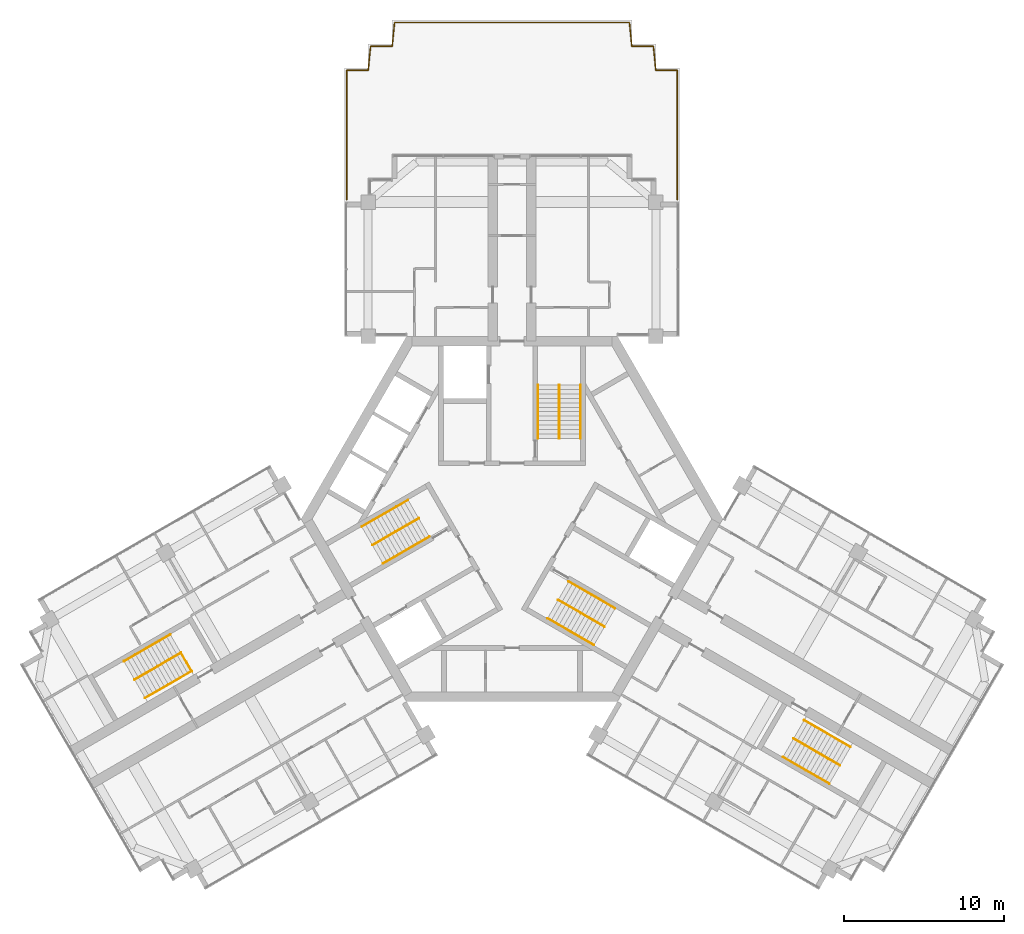
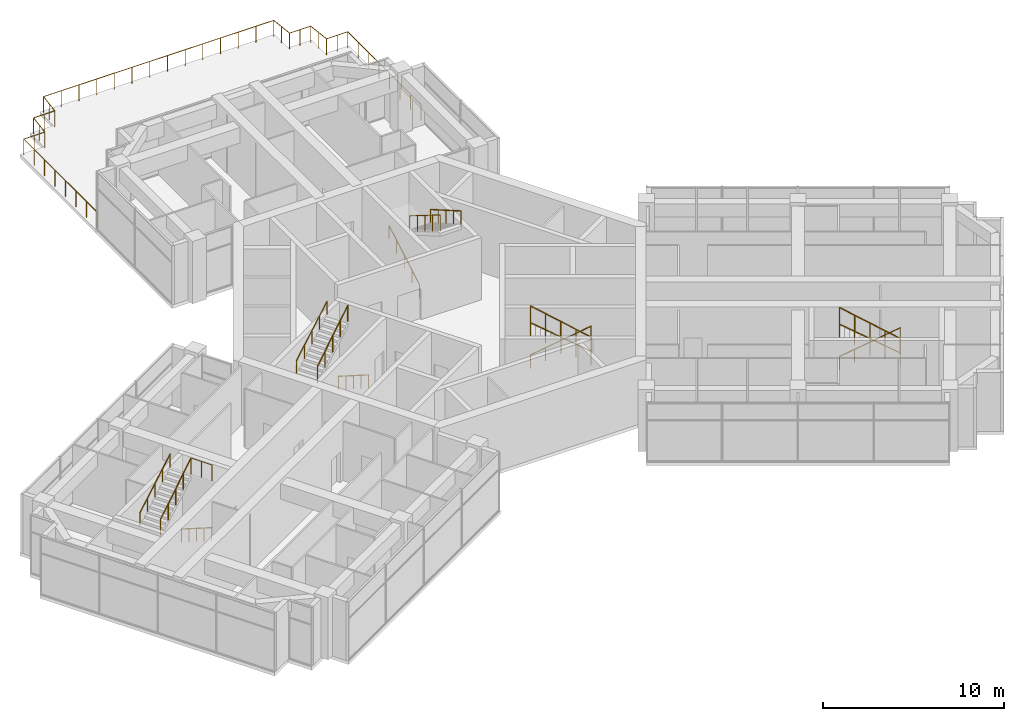
# One storey, part 15 of 15: 17 railings.
"""IFC4 building model written with IfcOpenShell, lengths in metres."""

from ifc_helpers import new_model, si_unit, direction, frame, origin, origin_2d, place, context, subcontext, project, spatial, circle, extrude, material, type_object, element, save


model = new_model("IFC4")

# Units and contexts
model_context = context("Model", 3, precision=1e-05, world=origin(), true_north=direction((0.0, 1.0)))
body_context = subcontext(model_context, "Body", "Model", "MODEL_VIEW")
ifc_project = project(units=[si_unit("LENGTHUNIT", "METRE"), si_unit("AREAUNIT", "SQUARE_METRE"), si_unit("VOLUMEUNIT", "CUBIC_METRE"), si_unit("PLANEANGLEUNIT", "RADIAN"), si_unit("MASSUNIT", "GRAM", prefix="KILO")], contexts=[model_context])

# Site, building, storey
site_placement = place(None, origin())
site = spatial("IfcSite", under=ifc_project, at=site_placement, CompositionType="ELEMENT")
building_placement = place(site_placement, origin())
building = spatial("IfcBuilding", under=site, at=building_placement, Name="Impinga Residences", CompositionType="ELEMENT")
storey_placement = place(building_placement, frame((0.0, 0.0, 274.75)))
storey = spatial("IfcBuildingStorey", under=building, at=storey_placement, Name="L69", CompositionType="ELEMENT", Elevation=274.75)

# Railings
ifc_material_1 = material(Name="Steel guard, powder coated", Category="steel")
railing_type_1 = type_object("IfcRailingType", Name="GR1 stair guard 1100", PredefinedType="GUARDRAIL", material=ifc_material_1)
railing_1_placement = place(storey_placement, frame((2.949951171875, 8.389892578125, 2.10009765625)))
element("IfcRailing", 1, at=railing_1_placement, inside=storey, type_object=railing_type_1, Name="Stair guard GR1 ST1 L69", PredefinedType="GUARDRAIL", context=body_context, shape_type="SweptSolid", body=[
    extrude(circle(Radius=0.02392578125, at=origin_2d()), frame((0.0, 0.0, 1.076171875), z_axis=(0.0, -0.848005227453, 0.529987862325), x_axis=(1.0, 0.0, 0.0)), (0.0, 0.0, 1.0), 3.962158203125),
    extrude(circle(Radius=0.02099609375, at=origin_2d()), origin(), (0.0, 0.0, 1.0), 1.052001953125),
    extrude(circle(Radius=0.02099609375, at=origin_2d()), frame((0.0, -0.83984375, 0.52490234375)), (0.0, 0.0, 1.0), 1.052001953125),
    extrude(circle(Radius=0.02099609375, at=origin_2d()), frame((0.0, -1.679931640625, 1.0498046875)), (0.0, 0.0, 1.0), 1.052001953125),
    extrude(circle(Radius=0.02099609375, at=origin_2d()), frame((0.0, -2.52001953125, 1.574951171875)), (0.0, 0.0, 1.0), 1.052001953125),
    extrude(circle(Radius=0.02099609375, at=origin_2d()), frame((0.0, -3.35986328125, 2.099853515625)), (0.0, 0.0, 1.0), 1.052001953125),
])
railing_2_placement = place(storey_placement, frame((-8.740966796875, -1.64013671875, 2.10009765625)))
element("IfcRailing", 2, at=railing_2_placement, inside=storey, type_object=railing_type_1, Name="Stair guard GR1 ST2 L69", PredefinedType="GUARDRAIL", context=body_context, shape_type="SweptSolid", body=[
    extrude(circle(Radius=0.02392578125, at=origin_2d()), frame((0.0, 0.0, 1.076171875), z_axis=(0.734415596072, 0.423988062469, 0.529969673783), x_axis=(-0.499976138585, 0.866039179741, 0.0)), (0.0, 0.0, 1.0), 3.962158203125),
    extrude(circle(Radius=0.02099609375, at=origin_2d()), origin(), (0.0, 0.0, 1.0), 1.052001953125),
    extrude(circle(Radius=0.02099609375, at=origin_2d()), frame((0.7275390625, 0.419921875, 0.52490234375)), (0.0, 0.0, 1.0), 1.052001953125),
    extrude(circle(Radius=0.02099609375, at=origin_2d()), frame((1.455078125, 0.83984375, 1.0498046875)), (0.0, 0.0, 1.0), 1.052001953125),
    extrude(circle(Radius=0.02099609375, at=origin_2d()), frame((2.182373046875, 1.260009765625, 1.574951171875)), (0.0, 0.0, 1.0), 1.052001953125),
    extrude(circle(Radius=0.02099609375, at=origin_2d()), frame((2.909912109375, 1.679931640625, 2.099853515625)), (0.0, 0.0, 1.0), 1.052001953125),
])
railing_3_placement = place(storey_placement, frame((5.791015625, -6.749755859375, 2.10009765625)))
element("IfcRailing", 3, at=railing_3_placement, inside=storey, type_object=railing_type_1, Name="Stair guard GR1 ST3 L69", PredefinedType="GUARDRAIL", context=body_context, shape_type="SweptSolid", body=[
    extrude(circle(Radius=0.02392578125, at=origin_2d()), frame((0.0, 0.0, 1.076171875), z_axis=(-0.734415596072, 0.423988062469, 0.529969673783), x_axis=(-0.499976138585, -0.866039179741, 0.0)), (0.0, 0.0, 1.0), 3.962158203125),
    extrude(circle(Radius=0.02099609375, at=origin_2d()), origin(), (0.0, 0.0, 1.0), 1.052001953125),
    extrude(circle(Radius=0.02099609375, at=origin_2d()), frame((-0.7275390625, 0.419921875, 0.52490234375)), (0.0, 0.0, 1.0), 1.052001953125),
    extrude(circle(Radius=0.02099609375, at=origin_2d()), frame((-1.455078125, 0.83984375, 1.0498046875)), (0.0, 0.0, 1.0), 1.052001953125),
    extrude(circle(Radius=0.02099609375, at=origin_2d()), frame((-2.182373046875, 1.260009765625, 1.574951171875)), (0.0, 0.0, 1.0), 1.052001953125),
    extrude(circle(Radius=0.02099609375, at=origin_2d()), frame((-2.909912109375, 1.679931640625, 2.099853515625)), (0.0, 0.0, 1.0), 1.052001953125),
])
railing_4_placement = place(storey_placement, frame((-23.626220703125, -10.06103515625, 2.10009765625)))
element("IfcRailing", 4, at=railing_4_placement, inside=storey, type_object=railing_type_1, Name="Stair guard GR1 WS2 L69", PredefinedType="GUARDRAIL", context=body_context, shape_type="SweptSolid", body=[
    extrude(circle(Radius=0.02392578125, at=origin_2d()), frame((0.0, 0.0, 1.076171875), z_axis=(0.734387211177, 0.424007249548, 0.529993656934), x_axis=(-0.500007602105, 0.866021014662, 0.0)), (0.0, 0.0, 1.0), 3.9619140625),
    extrude(circle(Radius=0.02099609375, at=origin_2d()), origin(), (0.0, 0.0, 1.0), 1.052001953125),
    extrude(circle(Radius=0.02099609375, at=origin_2d()), frame((0.7275390625, 0.419921875, 0.52490234375)), (0.0, 0.0, 1.0), 1.052001953125),
    extrude(circle(Radius=0.02099609375, at=origin_2d()), frame((1.454833984375, 0.83984375, 1.0498046875)), (0.0, 0.0, 1.0), 1.052001953125),
    extrude(circle(Radius=0.02099609375, at=origin_2d()), frame((2.18212890625, 1.260009765625, 1.574951171875)), (0.0, 0.0, 1.0), 1.052001953125),
    extrude(circle(Radius=0.02099609375, at=origin_2d()), frame((2.90966796875, 1.679931640625, 2.099853515625)), (0.0, 0.0, 1.0), 1.052001953125),
])
railing_5_placement = place(storey_placement, frame((-20.04150390625, -9.55029296875, 4.199951171875)))
element("IfcRailing", 5, at=railing_5_placement, inside=storey, type_object=railing_type_1, Name="Stair guard GR1 WS2 top landing L69", PredefinedType="GUARDRAIL", context=body_context, shape_type="SweptSolid", body=[
    extrude(circle(Radius=0.02392578125, at=origin_2d()), frame((0.0, 0.0, 1.076171875), z_axis=(-0.50000943426, 0.866019956843, 0.0), x_axis=(-0.866019956843, -0.50000943426, 0.0)), (0.0, 0.0, 1.0), 1.35009765625),
    extrude(circle(Radius=0.02099609375, at=origin_2d()), origin(), (0.0, 0.0, 1.0), 1.052001953125),
    extrude(circle(Radius=0.02099609375, at=origin_2d()), frame((-0.33740234375, 0.58447265625, 0.0)), (0.0, 0.0, 1.0), 1.052001953125),
    extrude(circle(Radius=0.02099609375, at=origin_2d()), frame((-0.675048828125, 1.169189453125, 0.0)), (0.0, 0.0, 1.0), 1.052001953125),
])
railing_6_placement = place(storey_placement, frame((20.5263671875, -15.430419921875, 2.10009765625)))
element("IfcRailing", 6, at=railing_6_placement, inside=storey, type_object=railing_type_1, Name="Stair guard GR1 WS3 L69", PredefinedType="GUARDRAIL", context=body_context, shape_type="SweptSolid", body=[
    extrude(circle(Radius=0.02392578125, at=origin_2d()), frame((0.0, 0.0, 1.076171875), z_axis=(-0.734415596072, 0.423988062469, 0.529969673783), x_axis=(-0.499976138585, -0.866039179741, 0.0)), (0.0, 0.0, 1.0), 3.962158203125),
    extrude(circle(Radius=0.02099609375, at=origin_2d()), origin(), (0.0, 0.0, 1.0), 1.052001953125),
    extrude(circle(Radius=0.02099609375, at=origin_2d()), frame((-0.7275390625, 0.419921875, 0.52490234375)), (0.0, 0.0, 1.0), 1.052001953125),
    extrude(circle(Radius=0.02099609375, at=origin_2d()), frame((-1.455078125, 0.83984375, 1.0498046875)), (0.0, 0.0, 1.0), 1.052001953125),
    extrude(circle(Radius=0.02099609375, at=origin_2d()), frame((-2.182373046875, 1.260009765625, 1.574951171875)), (0.0, 0.0, 1.0), 1.052001953125),
    extrude(circle(Radius=0.02099609375, at=origin_2d()), frame((-2.909912109375, 1.679931640625, 2.099853515625)), (0.0, 0.0, 1.0), 1.052001953125),
])
ifc_material_2 = material(Name="Laminated glass guard, stainless steel top rail", Category="steel")
railing_type_2 = type_object("IfcRailingType", Name="GT1 terrace guard 1100, glass infill", PredefinedType="GUARDRAIL", material=ifc_material_2)
railing_7_placement = place(storey_placement, frame((-10.35009765625, 19.982421875, 0.0)))
element("IfcRailing", 7, at=railing_7_placement, inside=storey, type_object=railing_type_2, Name="Terrace guard GT1 L69", PredefinedType="GUARDRAIL", context=body_context, shape_type="SweptSolid", body=[
    extrude(circle(Radius=0.02392578125, at=origin_2d()), frame((0.0, 0.0, 1.076171875), z_axis=(0.0, 1.0, 0.0), x_axis=(-1.0, 0.0, 0.0)), (0.0, 0.0, 1.0), 8.09912109375),
    extrude(circle(Radius=0.02392578125, at=origin_2d()), frame((0.0, 8.09912109375, 1.076171875), z_axis=(1.0, 0.0, 0.0), x_axis=(0.0, 1.0, 0.0)), (0.0, 0.0, 1.0), 1.35009765625),
    extrude(circle(Radius=0.02392578125, at=origin_2d()), frame((1.35009765625, 8.09912109375, 1.076171875), z_axis=(0.099439578731, 0.995043602151, 0.0), x_axis=(-0.995043602151, 0.099439578731, 0.0)), (0.0, 0.0, 1.0), 1.507568359375),
    extrude(circle(Radius=0.02392578125, at=origin_2d()), frame((1.5, 9.59912109375, 1.076171875), z_axis=(1.0, 0.0, 0.0), x_axis=(0.0, 1.0, 0.0)), (0.0, 0.0, 1.0), 1.35009765625),
    extrude(circle(Radius=0.02392578125, at=origin_2d()), frame((2.85009765625, 9.59912109375, 1.076171875), z_axis=(0.099439578731, 0.995043602151, 0.0), x_axis=(-0.995043602151, 0.099439578731, 0.0)), (0.0, 0.0, 1.0), 1.507568359375),
    extrude(circle(Radius=0.02392578125, at=origin_2d()), frame((3.0, 11.09912109375, 1.076171875), z_axis=(1.0, 0.0, 0.0), x_axis=(0.0, 1.0, 0.0)), (0.0, 0.0, 1.0), 14.7001953125),
    extrude(circle(Radius=0.02392578125, at=origin_2d()), frame((17.7001953125, 11.09912109375, 1.076171875), z_axis=(0.099439578731, -0.995043602151, 0.0), x_axis=(0.995043602151, 0.099439578731, 0.0)), (0.0, 0.0, 1.0), 1.507568359375),
    extrude(circle(Radius=0.02392578125, at=origin_2d()), frame((17.85009765625, 9.59912109375, 1.076171875), z_axis=(1.0, 0.0, 0.0), x_axis=(0.0, 1.0, 0.0)), (0.0, 0.0, 1.0), 1.35009765625),
    extrude(circle(Radius=0.02392578125, at=origin_2d()), frame((19.2001953125, 9.59912109375, 1.076171875), z_axis=(0.099439578731, -0.995043602151, 0.0), x_axis=(0.995043602151, 0.099439578731, 0.0)), (0.0, 0.0, 1.0), 1.507568359375),
    extrude(circle(Radius=0.02392578125, at=origin_2d()), frame((19.35009765625, 8.09912109375, 1.076171875), z_axis=(1.0, 0.0, 0.0), x_axis=(0.0, 1.0, 0.0)), (0.0, 0.0, 1.0), 1.35009765625),
    extrude(circle(Radius=0.02392578125, at=origin_2d()), frame((20.7001953125, 8.09912109375, 1.076171875), z_axis=(0.0, -1.0, 0.0), x_axis=(1.0, 0.0, 0.0)), (0.0, 0.0, 1.0), 8.09912109375),
    extrude(circle(Radius=0.02099609375, at=origin_2d()), origin(), (0.0, 0.0, 1.0), 1.052001953125),
    extrude(circle(Radius=0.02099609375, at=origin_2d()), frame((0.0, 1.156982421875, 0.0)), (0.0, 0.0, 1.0), 1.052001953125),
    extrude(circle(Radius=0.02099609375, at=origin_2d()), frame((0.0, 2.31396484375, 0.0)), (0.0, 0.0, 1.0), 1.052001953125),
    extrude(circle(Radius=0.02099609375, at=origin_2d()), frame((0.0, 3.470947265625, 0.0)), (0.0, 0.0, 1.0), 1.052001953125),
    extrude(circle(Radius=0.02099609375, at=origin_2d()), frame((0.0, 4.628173828125, 0.0)), (0.0, 0.0, 1.0), 1.052001953125),
    extrude(circle(Radius=0.02099609375, at=origin_2d()), frame((0.0, 5.78515625, 0.0)), (0.0, 0.0, 1.0), 1.052001953125),
    extrude(circle(Radius=0.02099609375, at=origin_2d()), frame((0.0, 6.942138671875, 0.0)), (0.0, 0.0, 1.0), 1.052001953125),
    extrude(circle(Radius=0.02099609375, at=origin_2d()), frame((0.0, 8.09912109375, 0.0)), (0.0, 0.0, 1.0), 1.052001953125),
    extrude(circle(Radius=0.02099609375, at=origin_2d()), frame((0.675048828125, 8.09912109375, 0.0)), (0.0, 0.0, 1.0), 1.052001953125),
    extrude(circle(Radius=0.02099609375, at=origin_2d()), frame((1.35009765625, 8.09912109375, 0.0)), (0.0, 0.0, 1.0), 1.052001953125),
    extrude(circle(Radius=0.02099609375, at=origin_2d()), frame((1.425048828125, 8.84912109375, 0.0)), (0.0, 0.0, 1.0), 1.052001953125),
    extrude(circle(Radius=0.02099609375, at=origin_2d()), frame((1.5, 9.59912109375, 0.0)), (0.0, 0.0, 1.0), 1.052001953125),
    extrude(circle(Radius=0.02099609375, at=origin_2d()), frame((2.175048828125, 9.59912109375, 0.0)), (0.0, 0.0, 1.0), 1.052001953125),
    extrude(circle(Radius=0.02099609375, at=origin_2d()), frame((2.85009765625, 9.59912109375, 0.0)), (0.0, 0.0, 1.0), 1.052001953125),
    extrude(circle(Radius=0.02099609375, at=origin_2d()), frame((2.925048828125, 10.34912109375, 0.0)), (0.0, 0.0, 1.0), 1.052001953125),
    extrude(circle(Radius=0.02099609375, at=origin_2d()), frame((3.0, 11.09912109375, 0.0)), (0.0, 0.0, 1.0), 1.052001953125),
    extrude(circle(Radius=0.02099609375, at=origin_2d()), frame((4.130859375, 11.09912109375, 0.0)), (0.0, 0.0, 1.0), 1.052001953125),
    extrude(circle(Radius=0.02099609375, at=origin_2d()), frame((5.261474609375, 11.09912109375, 0.0)), (0.0, 0.0, 1.0), 1.052001953125),
    extrude(circle(Radius=0.02099609375, at=origin_2d()), frame((6.392333984375, 11.09912109375, 0.0)), (0.0, 0.0, 1.0), 1.052001953125),
    extrude(circle(Radius=0.02099609375, at=origin_2d()), frame((7.523193359375, 11.09912109375, 0.0)), (0.0, 0.0, 1.0), 1.052001953125),
    extrude(circle(Radius=0.02099609375, at=origin_2d()), frame((8.65380859375, 11.09912109375, 0.0)), (0.0, 0.0, 1.0), 1.052001953125),
    extrude(circle(Radius=0.02099609375, at=origin_2d()), frame((9.78466796875, 11.09912109375, 0.0)), (0.0, 0.0, 1.0), 1.052001953125),
    extrude(circle(Radius=0.02099609375, at=origin_2d()), frame((10.91552734375, 11.09912109375, 0.0)), (0.0, 0.0, 1.0), 1.052001953125),
    extrude(circle(Radius=0.02099609375, at=origin_2d()), frame((12.04638671875, 11.09912109375, 0.0)), (0.0, 0.0, 1.0), 1.052001953125),
    extrude(circle(Radius=0.02099609375, at=origin_2d()), frame((13.177001953125, 11.09912109375, 0.0)), (0.0, 0.0, 1.0), 1.052001953125),
    extrude(circle(Radius=0.02099609375, at=origin_2d()), frame((14.307861328125, 11.09912109375, 0.0)), (0.0, 0.0, 1.0), 1.052001953125),
    extrude(circle(Radius=0.02099609375, at=origin_2d()), frame((15.438720703125, 11.09912109375, 0.0)), (0.0, 0.0, 1.0), 1.052001953125),
    extrude(circle(Radius=0.02099609375, at=origin_2d()), frame((16.5693359375, 11.09912109375, 0.0)), (0.0, 0.0, 1.0), 1.052001953125),
    extrude(circle(Radius=0.02099609375, at=origin_2d()), frame((17.7001953125, 11.09912109375, 0.0)), (0.0, 0.0, 1.0), 1.052001953125),
    extrude(circle(Radius=0.02099609375, at=origin_2d()), frame((17.775146484375, 10.34912109375, 0.0)), (0.0, 0.0, 1.0), 1.052001953125),
    extrude(circle(Radius=0.02099609375, at=origin_2d()), frame((17.85009765625, 9.59912109375, 0.0)), (0.0, 0.0, 1.0), 1.052001953125),
    extrude(circle(Radius=0.02099609375, at=origin_2d()), frame((18.525146484375, 9.59912109375, 0.0)), (0.0, 0.0, 1.0), 1.052001953125),
    extrude(circle(Radius=0.02099609375, at=origin_2d()), frame((19.2001953125, 9.59912109375, 0.0)), (0.0, 0.0, 1.0), 1.052001953125),
    extrude(circle(Radius=0.02099609375, at=origin_2d()), frame((19.275146484375, 8.84912109375, 0.0)), (0.0, 0.0, 1.0), 1.052001953125),
    extrude(circle(Radius=0.02099609375, at=origin_2d()), frame((19.35009765625, 8.09912109375, 0.0)), (0.0, 0.0, 1.0), 1.052001953125),
    extrude(circle(Radius=0.02099609375, at=origin_2d()), frame((20.025146484375, 8.09912109375, 0.0)), (0.0, 0.0, 1.0), 1.052001953125),
    extrude(circle(Radius=0.02099609375, at=origin_2d()), frame((20.7001953125, 8.09912109375, 0.0)), (0.0, 0.0, 1.0), 1.052001953125),
    extrude(circle(Radius=0.02099609375, at=origin_2d()), frame((20.7001953125, 6.942138671875, 0.0)), (0.0, 0.0, 1.0), 1.052001953125),
    extrude(circle(Radius=0.02099609375, at=origin_2d()), frame((20.7001953125, 5.78515625, 0.0)), (0.0, 0.0, 1.0), 1.052001953125),
    extrude(circle(Radius=0.02099609375, at=origin_2d()), frame((20.7001953125, 4.628173828125, 0.0)), (0.0, 0.0, 1.0), 1.052001953125),
    extrude(circle(Radius=0.02099609375, at=origin_2d()), frame((20.7001953125, 3.470947265625, 0.0)), (0.0, 0.0, 1.0), 1.052001953125),
    extrude(circle(Radius=0.02099609375, at=origin_2d()), frame((20.7001953125, 2.31396484375, 0.0)), (0.0, 0.0, 1.0), 1.052001953125),
    extrude(circle(Radius=0.02099609375, at=origin_2d()), frame((20.7001953125, 1.156982421875, 0.0)), (0.0, 0.0, 1.0), 1.052001953125),
    extrude(circle(Radius=0.02099609375, at=origin_2d()), frame((20.7001953125, 0.0, 0.0)), (0.0, 0.0, 1.0), 1.052001953125),
])
ifc_material_3 = material(Name="Steel handrail tube 42 mm, powder coated", Category="steel")
railing_type_3 = type_object("IfcRailingType", Name="HR1 stair handrail, 42 mm steel tube, 900 above the pitch line", PredefinedType="HANDRAIL", material=ifc_material_3)
railing_8_placement = place(storey_placement, frame((1.62109375, 5.030029296875, 0.16162109375)))
element("IfcRailing", 8, at=railing_8_placement, inside=storey, type_object=railing_type_3, Name="Stair handrail HR1 ST1 L69", PredefinedType="HANDRAIL", context=body_context, shape_type="SweptSolid", body=[
    extrude(circle(Radius=0.02099609375, at=origin_2d()), frame((0.0, 0.0, 0.87890625), z_axis=(0.0, 0.866175107563, 0.499740615757), x_axis=(-1.0, 0.0, 0.0)), (0.0, 0.0, 1.0), 3.87890625),
    extrude(circle(Radius=0.012451171875, at=origin_2d()), origin(), (0.0, 0.0, 1.0), 0.85791015625),
    extrude(circle(Radius=0.012451171875, at=origin_2d()), frame((0.0, 0.83984375, 0.484619140625)), (0.0, 0.0, 1.0), 0.85791015625),
    extrude(circle(Radius=0.012451171875, at=origin_2d()), frame((0.0, 1.679931640625, 0.96923828125)), (0.0, 0.0, 1.0), 0.85791015625),
    extrude(circle(Radius=0.012451171875, at=origin_2d()), frame((0.0, 2.52001953125, 1.453857421875)), (0.0, 0.0, 1.0), 0.85791015625),
    extrude(circle(Radius=0.012451171875, at=origin_2d()), frame((0.0, 3.35986328125, 1.9384765625)), (0.0, 0.0, 1.0), 0.85791015625),
])
railing_9_placement = place(storey_placement, frame((4.279052734375, 8.389892578125, 2.261474609375)))
element("IfcRailing", 9, at=railing_9_placement, inside=storey, type_object=railing_type_3, Name="Stair handrail HR1 ST1 L69", PredefinedType="HANDRAIL", context=body_context, shape_type="SweptSolid", body=[
    extrude(circle(Radius=0.02099609375, at=origin_2d()), frame((0.0, 0.0, 0.87890625), z_axis=(0.0, -0.866175107563, 0.499740615757), x_axis=(1.0, 0.0, 0.0)), (0.0, 0.0, 1.0), 3.87890625),
    extrude(circle(Radius=0.012451171875, at=origin_2d()), origin(), (0.0, 0.0, 1.0), 0.85791015625),
    extrude(circle(Radius=0.012451171875, at=origin_2d()), frame((0.0, -0.83984375, 0.484619140625)), (0.0, 0.0, 1.0), 0.85791015625),
    extrude(circle(Radius=0.012451171875, at=origin_2d()), frame((0.0, -1.679931640625, 0.96923828125)), (0.0, 0.0, 1.0), 0.85791015625),
    extrude(circle(Radius=0.012451171875, at=origin_2d()), frame((0.0, -2.52001953125, 1.453857421875)), (0.0, 0.0, 1.0), 0.85791015625),
    extrude(circle(Radius=0.012451171875, at=origin_2d()), frame((0.0, -3.35986328125, 1.9384765625)), (0.0, 0.0, 1.0), 0.85791015625),
])
railing_10_placement = place(storey_placement, frame((-5.16650390625, -1.111083984375, 0.16162109375)))
element("IfcRailing", 10, at=railing_10_placement, inside=storey, type_object=railing_type_3, Name="Stair handrail HR1 ST2 L69", PredefinedType="HANDRAIL", context=body_context, shape_type="SweptSolid", body=[
    extrude(circle(Radius=0.02099609375, at=origin_2d()), frame((0.0, 0.0, 0.87890625), z_axis=(-0.750130072985, -0.43312317831, 0.499709101393), x_axis=(0.500030632641, -0.866007717299, 0.0)), (0.0, 0.0, 1.0), 3.879150390625),
    extrude(circle(Radius=0.012451171875, at=origin_2d()), origin(), (0.0, 0.0, 1.0), 0.85791015625),
    extrude(circle(Radius=0.012451171875, at=origin_2d()), frame((-0.7275390625, -0.419921875, 0.484619140625)), (0.0, 0.0, 1.0), 0.85791015625),
    extrude(circle(Radius=0.012451171875, at=origin_2d()), frame((-1.455078125, -0.840087890625, 0.96923828125)), (0.0, 0.0, 1.0), 0.85791015625),
    extrude(circle(Radius=0.012451171875, at=origin_2d()), frame((-2.182373046875, -1.26025390625, 1.453857421875)), (0.0, 0.0, 1.0), 0.85791015625),
    extrude(circle(Radius=0.012451171875, at=origin_2d()), frame((-2.909912109375, -1.68017578125, 1.9384765625)), (0.0, 0.0, 1.0), 0.85791015625),
])
railing_11_placement = place(storey_placement, frame((-9.405517578125, -0.4892578125, 2.261474609375)))
element("IfcRailing", 11, at=railing_11_placement, inside=storey, type_object=railing_type_3, Name="Stair handrail HR1 ST2 L69", PredefinedType="HANDRAIL", context=body_context, shape_type="SweptSolid", body=[
    extrude(circle(Radius=0.02099609375, at=origin_2d()), frame((0.0, 0.0, 0.87890625), z_axis=(0.750150520049, 0.433072047022, 0.499722722476), x_axis=(-0.499976138585, 0.866039179741, 0.0)), (0.0, 0.0, 1.0), 3.879150390625),
    extrude(circle(Radius=0.012451171875, at=origin_2d()), origin(), (0.0, 0.0, 1.0), 0.85791015625),
    extrude(circle(Radius=0.012451171875, at=origin_2d()), frame((0.7275390625, 0.419921875, 0.484619140625)), (0.0, 0.0, 1.0), 0.85791015625),
    extrude(circle(Radius=0.012451171875, at=origin_2d()), frame((1.455078125, 0.83984375, 0.96923828125)), (0.0, 0.0, 1.0), 0.85791015625),
    extrude(circle(Radius=0.012451171875, at=origin_2d()), frame((2.182373046875, 1.260009765625, 1.453857421875)), (0.0, 0.0, 1.0), 0.85791015625),
    extrude(circle(Radius=0.012451171875, at=origin_2d()), frame((2.909912109375, 1.679931640625, 1.9384765625)), (0.0, 0.0, 1.0), 0.85791015625),
])
railing_12_placement = place(storey_placement, frame((3.545654296875, -3.9189453125, 0.16162109375)))
element("IfcRailing", 12, at=railing_12_placement, inside=storey, type_object=railing_type_3, Name="Stair handrail HR1 ST3 L69", PredefinedType="HANDRAIL", context=body_context, shape_type="SweptSolid", body=[
    extrude(circle(Radius=0.02099609375, at=origin_2d()), frame((0.0, 0.0, 0.87890625), z_axis=(0.750150520049, -0.433072047022, 0.499722722476), x_axis=(0.499976138585, 0.866039179741, 0.0)), (0.0, 0.0, 1.0), 3.879150390625),
    extrude(circle(Radius=0.012451171875, at=origin_2d()), origin(), (0.0, 0.0, 1.0), 0.85791015625),
    extrude(circle(Radius=0.012451171875, at=origin_2d()), frame((0.7275390625, -0.419921875, 0.484619140625)), (0.0, 0.0, 1.0), 0.85791015625),
    extrude(circle(Radius=0.012451171875, at=origin_2d()), frame((1.455078125, -0.83984375, 0.96923828125)), (0.0, 0.0, 1.0), 0.85791015625),
    extrude(circle(Radius=0.012451171875, at=origin_2d()), frame((2.182373046875, -1.260009765625, 1.453857421875)), (0.0, 0.0, 1.0), 0.85791015625),
    extrude(circle(Radius=0.012451171875, at=origin_2d()), frame((2.909912109375, -1.679931640625, 1.9384765625)), (0.0, 0.0, 1.0), 0.85791015625),
])
railing_13_placement = place(storey_placement, frame((5.12646484375, -7.900634765625, 2.261474609375)))
element("IfcRailing", 13, at=railing_13_placement, inside=storey, type_object=railing_type_3, Name="Stair handrail HR1 ST3 L69", PredefinedType="HANDRAIL", context=body_context, shape_type="SweptSolid", body=[
    extrude(circle(Radius=0.02099609375, at=origin_2d()), frame((0.0, 0.0, 0.87890625), z_axis=(-0.750150520049, 0.433072047022, 0.499722722476), x_axis=(-0.499976138585, -0.866039179741, 0.0)), (0.0, 0.0, 1.0), 3.879150390625),
    extrude(circle(Radius=0.012451171875, at=origin_2d()), origin(), (0.0, 0.0, 1.0), 0.85791015625),
    extrude(circle(Radius=0.012451171875, at=origin_2d()), frame((-0.7275390625, 0.419921875, 0.484619140625)), (0.0, 0.0, 1.0), 0.85791015625),
    extrude(circle(Radius=0.012451171875, at=origin_2d()), frame((-1.455078125, 0.83984375, 0.96923828125)), (0.0, 0.0, 1.0), 0.85791015625),
    extrude(circle(Radius=0.012451171875, at=origin_2d()), frame((-2.182373046875, 1.260009765625, 1.453857421875)), (0.0, 0.0, 1.0), 0.85791015625),
    extrude(circle(Radius=0.012451171875, at=origin_2d()), frame((-2.909912109375, 1.679931640625, 1.9384765625)), (0.0, 0.0, 1.0), 0.85791015625),
])
railing_14_placement = place(storey_placement, frame((-20.052001953125, -9.531982421875, 0.16162109375)))
element("IfcRailing", 14, at=railing_14_placement, inside=storey, type_object=railing_type_3, Name="Stair handrail HR1 WS2 L69", PredefinedType="HANDRAIL", context=body_context, shape_type="SweptSolid", body=[
    extrude(circle(Radius=0.02099609375, at=origin_2d()), frame((0.0, 0.0, 0.87890625), z_axis=(-0.750130072985, -0.43312317831, 0.499709101393), x_axis=(0.500030632641, -0.866007717299, 0.0)), (0.0, 0.0, 1.0), 3.879150390625),
    extrude(circle(Radius=0.012451171875, at=origin_2d()), origin(), (0.0, 0.0, 1.0), 0.85791015625),
    extrude(circle(Radius=0.012451171875, at=origin_2d()), frame((-0.7275390625, -0.419921875, 0.484619140625)), (0.0, 0.0, 1.0), 0.85791015625),
    extrude(circle(Radius=0.012451171875, at=origin_2d()), frame((-1.455078125, -0.840087890625, 0.96923828125)), (0.0, 0.0, 1.0), 0.85791015625),
    extrude(circle(Radius=0.012451171875, at=origin_2d()), frame((-2.182373046875, -1.26025390625, 1.453857421875)), (0.0, 0.0, 1.0), 0.85791015625),
    extrude(circle(Radius=0.012451171875, at=origin_2d()), frame((-2.909912109375, -1.68017578125, 1.9384765625)), (0.0, 0.0, 1.0), 0.85791015625),
])
railing_15_placement = place(storey_placement, frame((-24.290771484375, -8.91015625, 2.261474609375)))
element("IfcRailing", 15, at=railing_15_placement, inside=storey, type_object=railing_type_3, Name="Stair handrail HR1 WS2 L69", PredefinedType="HANDRAIL", context=body_context, shape_type="SweptSolid", body=[
    extrude(circle(Radius=0.02099609375, at=origin_2d()), frame((0.0, 0.0, 0.87890625), z_axis=(0.750150520049, 0.433072047022, 0.499722722476), x_axis=(-0.499976138585, 0.866039179741, 0.0)), (0.0, 0.0, 1.0), 3.879150390625),
    extrude(circle(Radius=0.012451171875, at=origin_2d()), origin(), (0.0, 0.0, 1.0), 0.85791015625),
    extrude(circle(Radius=0.012451171875, at=origin_2d()), frame((0.7275390625, 0.419921875, 0.484619140625)), (0.0, 0.0, 1.0), 0.85791015625),
    extrude(circle(Radius=0.012451171875, at=origin_2d()), frame((1.455078125, 0.83984375, 0.96923828125)), (0.0, 0.0, 1.0), 0.85791015625),
    extrude(circle(Radius=0.012451171875, at=origin_2d()), frame((2.182373046875, 1.260009765625, 1.453857421875)), (0.0, 0.0, 1.0), 0.85791015625),
    extrude(circle(Radius=0.012451171875, at=origin_2d()), frame((2.909912109375, 1.679931640625, 1.9384765625)), (0.0, 0.0, 1.0), 0.85791015625),
])
railing_16_placement = place(storey_placement, frame((18.281005859375, -12.599609375, 0.16162109375)))
element("IfcRailing", 16, at=railing_16_placement, inside=storey, type_object=railing_type_3, Name="Stair handrail HR1 WS3 L69", PredefinedType="HANDRAIL", context=body_context, shape_type="SweptSolid", body=[
    extrude(circle(Radius=0.02099609375, at=origin_2d()), frame((0.0, 0.0, 0.87890625), z_axis=(0.750150520049, -0.433072047022, 0.499722722476), x_axis=(0.499976138585, 0.866039179741, 0.0)), (0.0, 0.0, 1.0), 3.879150390625),
    extrude(circle(Radius=0.012451171875, at=origin_2d()), origin(), (0.0, 0.0, 1.0), 0.85791015625),
    extrude(circle(Radius=0.012451171875, at=origin_2d()), frame((0.7275390625, -0.419921875, 0.484619140625)), (0.0, 0.0, 1.0), 0.85791015625),
    extrude(circle(Radius=0.012451171875, at=origin_2d()), frame((1.455078125, -0.83984375, 0.96923828125)), (0.0, 0.0, 1.0), 0.85791015625),
    extrude(circle(Radius=0.012451171875, at=origin_2d()), frame((2.182373046875, -1.260009765625, 1.453857421875)), (0.0, 0.0, 1.0), 0.85791015625),
    extrude(circle(Radius=0.012451171875, at=origin_2d()), frame((2.909912109375, -1.679931640625, 1.9384765625)), (0.0, 0.0, 1.0), 0.85791015625),
])
railing_17_placement = place(storey_placement, frame((19.86181640625, -16.581298828125, 2.261474609375)))
element("IfcRailing", 17, at=railing_17_placement, inside=storey, type_object=railing_type_3, Name="Stair handrail HR1 WS3 L69", PredefinedType="HANDRAIL", context=body_context, shape_type="SweptSolid", body=[
    extrude(circle(Radius=0.02099609375, at=origin_2d()), frame((0.0, 0.0, 0.87890625), z_axis=(-0.750150520049, 0.433072047022, 0.499722722476), x_axis=(-0.499976138585, -0.866039179741, 0.0)), (0.0, 0.0, 1.0), 3.879150390625),
    extrude(circle(Radius=0.012451171875, at=origin_2d()), origin(), (0.0, 0.0, 1.0), 0.85791015625),
    extrude(circle(Radius=0.012451171875, at=origin_2d()), frame((-0.7275390625, 0.419921875, 0.484619140625)), (0.0, 0.0, 1.0), 0.85791015625),
    extrude(circle(Radius=0.012451171875, at=origin_2d()), frame((-1.455078125, 0.83984375, 0.96923828125)), (0.0, 0.0, 1.0), 0.85791015625),
    extrude(circle(Radius=0.012451171875, at=origin_2d()), frame((-2.182373046875, 1.260009765625, 1.453857421875)), (0.0, 0.0, 1.0), 0.85791015625),
    extrude(circle(Radius=0.012451171875, at=origin_2d()), frame((-2.909912109375, 1.679931640625, 1.9384765625)), (0.0, 0.0, 1.0), 0.85791015625),
])

save(model, "model.ifc")
